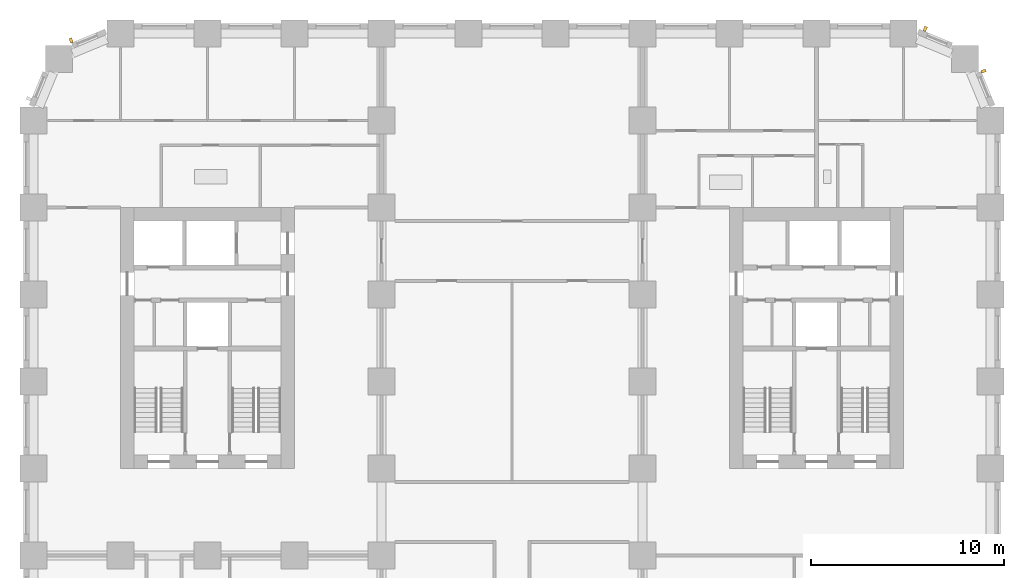
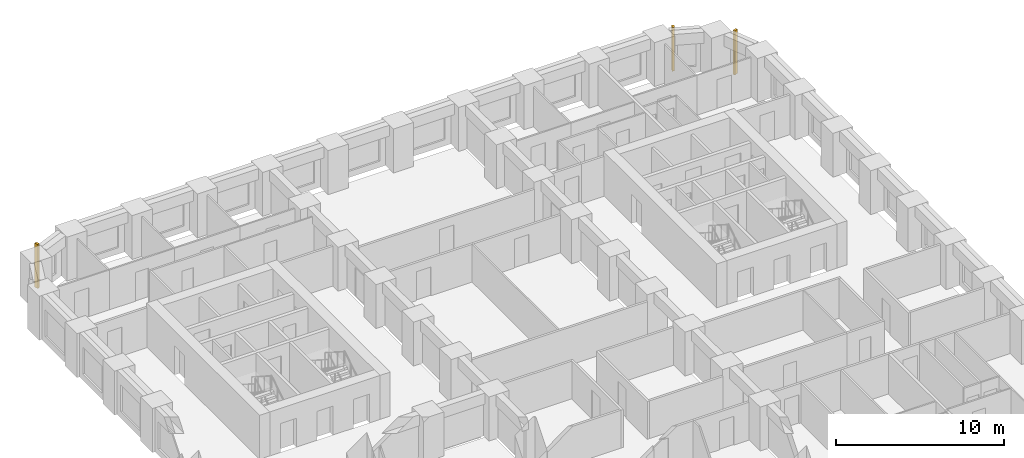
# One storey, part 11 of 12: 3 shading devices.
"""IFC4 building model written with IfcOpenShell, lengths in metres."""

from ifc_helpers import new_model, si_unit, direction, frame, origin, origin_2d, place, context, subcontext, project, spatial, rectangle, extrude, material, type_object, element, save


model = new_model("IFC4")

# Units and contexts
model_context = context("Model", 3, precision=1e-05, world=origin(), true_north=direction((0.0, 1.0)))
body_context = subcontext(model_context, "Body", "Model", "MODEL_VIEW")
ifc_project = project(units=[si_unit("LENGTHUNIT", "METRE"), si_unit("AREAUNIT", "SQUARE_METRE"), si_unit("VOLUMEUNIT", "CUBIC_METRE"), si_unit("PLANEANGLEUNIT", "RADIAN"), si_unit("MASSUNIT", "GRAM", prefix="KILO")], contexts=[model_context])

# Site, building, storey
site_placement = place(None, origin())
site = spatial("IfcSite", under=ifc_project, at=site_placement, CompositionType="ELEMENT")
building_placement = place(site_placement, origin())
building = spatial("IfcBuilding", under=site, at=building_placement, Name="Girih Gate Residences", CompositionType="ELEMENT")
storey_placement = place(building_placement, frame((0.0, 0.0, 30.39990234375)))
storey = spatial("IfcBuildingStorey", under=building, at=storey_placement, Name="L06", CompositionType="ELEMENT", Elevation=30.39990234375)

# Shading devices
ifc_material = material(Name="Precast concrete C50/60", Category="concrete")
shading_device_type = type_object("IfcShadingDeviceType", Name="Corner rib 150x250", PredefinedType="USERDEFINED", material=ifc_material)
for number, where, z_axis, x_axis, name in (
    (1, (49.14501953125, 47.5556640625, 0.0), (0.0, 0.0, 1.0), (-0.382683432365, 0.923879532511, 0.0), "Corner rib NE0495_0450.0"),
    (2, (46.123779296875, 49.738037109375, 0.0), (0.0, 0.0, 1.0), (-0.923879532511, 0.382683432365, 0.0), "Corner rib NE0482_0482.0"),
    (3, (1.9443359375, 49.14501953125, 0.0), (0.0, 0.0, 1.0), (-0.923879532511, -0.382683432365, 0.0), "Corner rib NW0045_0495.0"),
):
    element("IfcShadingDevice", number, at=place(storey_placement, frame(where, z_axis=z_axis, x_axis=x_axis)), inside=storey, type_object=shading_device_type, Name=name, ObjectType="FIN", PredefinedType="USERDEFINED", context=body_context, shape_type="SweptSolid", body=[
        extrude(rectangle(XDim=0.14990234375, YDim=0.25, at=origin_2d()), origin(), (0.0, 0.0, 1.0), 3.199951171875),
    ])

save(model, "model.ifc")
